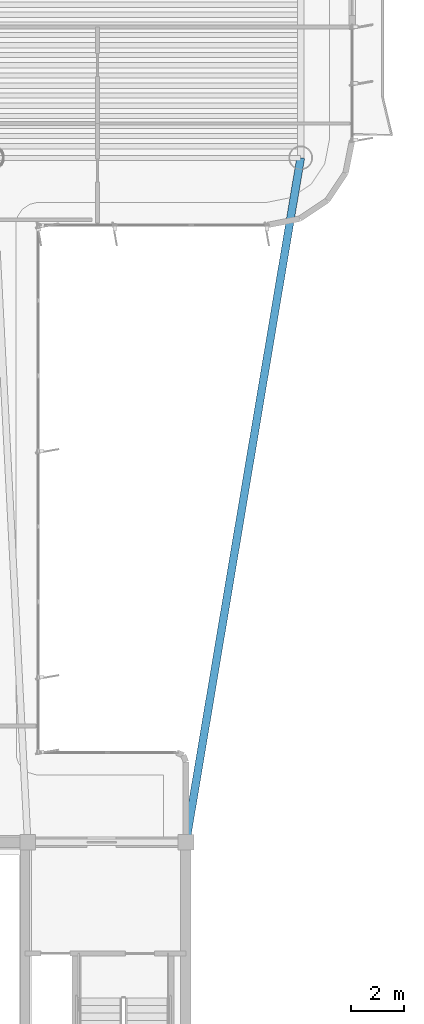
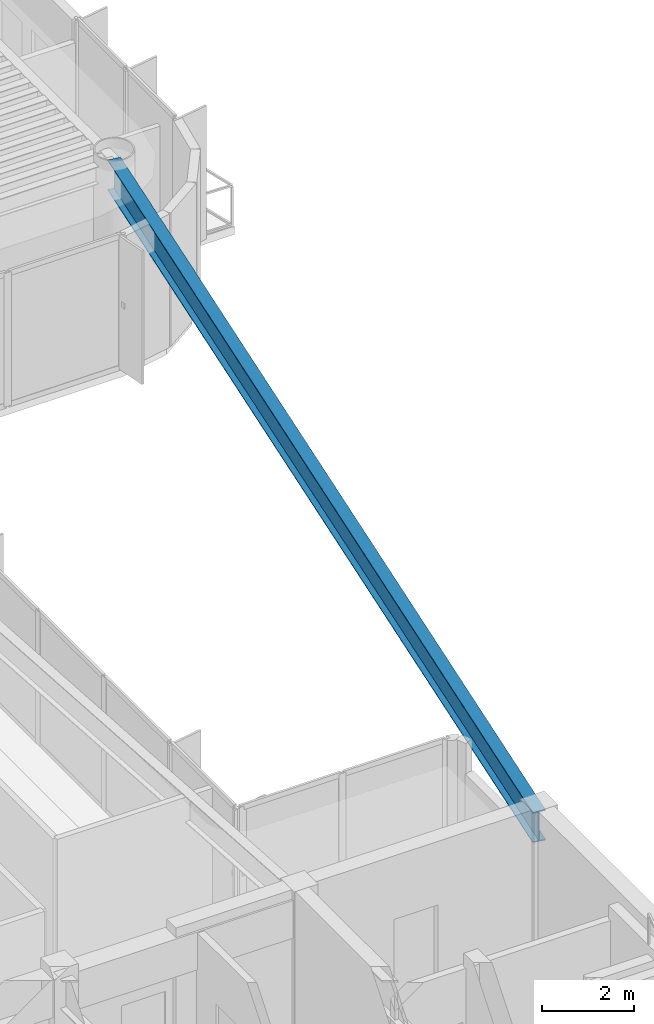
# One storey, part 4 of 15: 1 beam.
"""IFC4 building model written with IfcOpenShell, lengths in metres."""

from ifc_helpers import new_model, si_unit, direction, frame, origin, origin_2d, place, context, subcontext, project, spatial, i_section, extrude, source, transform, mapped, material, material_profile, profile_set, type_object, element, save


model = new_model("IFC4")

# Units and contexts
model_context = context("Model", 3, precision=1e-05, world=origin(), true_north=direction((0.0, 1.0)))
body_context = subcontext(model_context, "Body", "Model", "MODEL_VIEW")
ifc_project = project(units=[si_unit("LENGTHUNIT", "METRE"), si_unit("AREAUNIT", "SQUARE_METRE"), si_unit("VOLUMEUNIT", "CUBIC_METRE"), si_unit("PLANEANGLEUNIT", "RADIAN"), si_unit("MASSUNIT", "GRAM", prefix="KILO")], contexts=[model_context])

# Site, building, storey
site_placement = place(None, origin())
site = spatial("IfcSite", under=ifc_project, at=site_placement, CompositionType="ELEMENT")
building_placement = place(site_placement, origin())
building = spatial("IfcBuilding", under=site, at=building_placement, Name="Brelvock Crest Care Tower", CompositionType="ELEMENT")
storey_placement = place(building_placement, frame((0.0, 0.0, 245.699951171875)))
storey = spatial("IfcBuildingStorey", under=building, at=storey_placement, Name="L62", CompositionType="ELEMENT", Elevation=245.699951171875)

# Beam
ifc_material = material(Name="Steel Grade 350", Category="steel")
ifc_material_profile = material_profile(ifc_material, i_section(OverallWidth=0.300048828125, OverallDepth=0.800048828125, WebThickness=0.013916015625, FlangeThickness=0.02197265625, at=origin_2d()), Name="800WB192")
ifc_profile_set = profile_set([ifc_material_profile], Name="Steel Grade 350")
beam_type = type_object("IfcBeamType", Name="BM-G5", PredefinedType="BEAM", material=ifc_profile_set)
shared_shape = source(origin(), body_context, "Body", "SweptSolid", [
    extrude(i_section(OverallWidth=0.300048828125, OverallDepth=0.800048828125, WebThickness=0.013916015625, FlangeThickness=0.02197265625, at=origin_2d()), origin(), (0.0, 0.0, 1.0), 26.31201171875),
])
beam_placement = place(storey_placement, frame((48.0, 18.0, 3.130126953125), z_axis=(0.165327282709, 0.986238758918, 0.0), x_axis=(-0.986238758918, 0.165327282709, 0.0)))
element("IfcBeam", 1, at=beam_placement, inside=storey, type_object=beam_type, Name="BM-THRO-E-L62", PredefinedType="BEAM", context=body_context, shape_type="MappedRepresentation", body=[
    mapped(shared_shape, transform((0.0, 0.0, 0.0), x_axis=(1.0, 0.0, 0.0), y_axis=(0.0, 1.0, 0.0), z_axis=(0.0, 0.0, 1.0), scale=1.0)),
])

save(model, "model.ifc")
